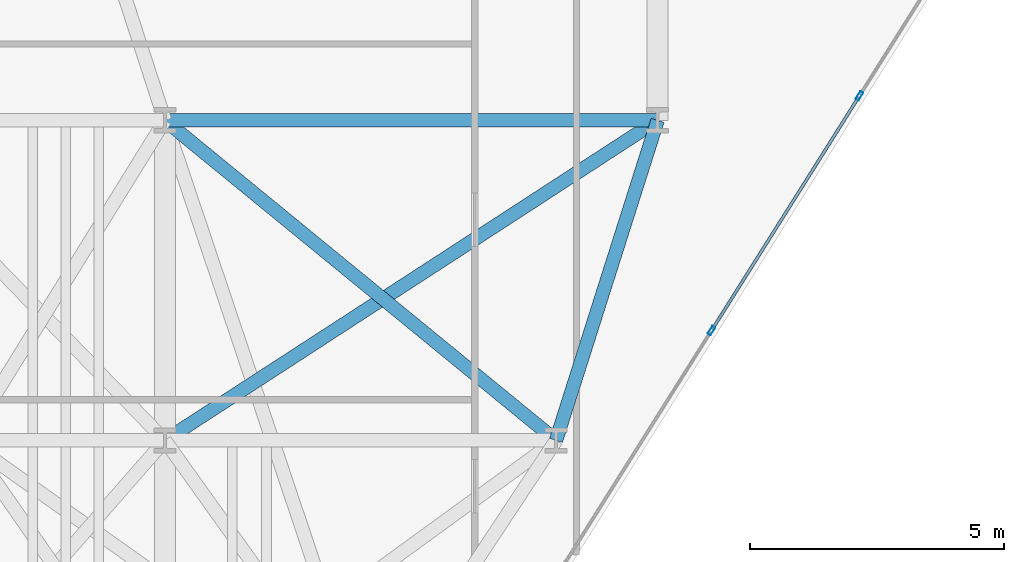
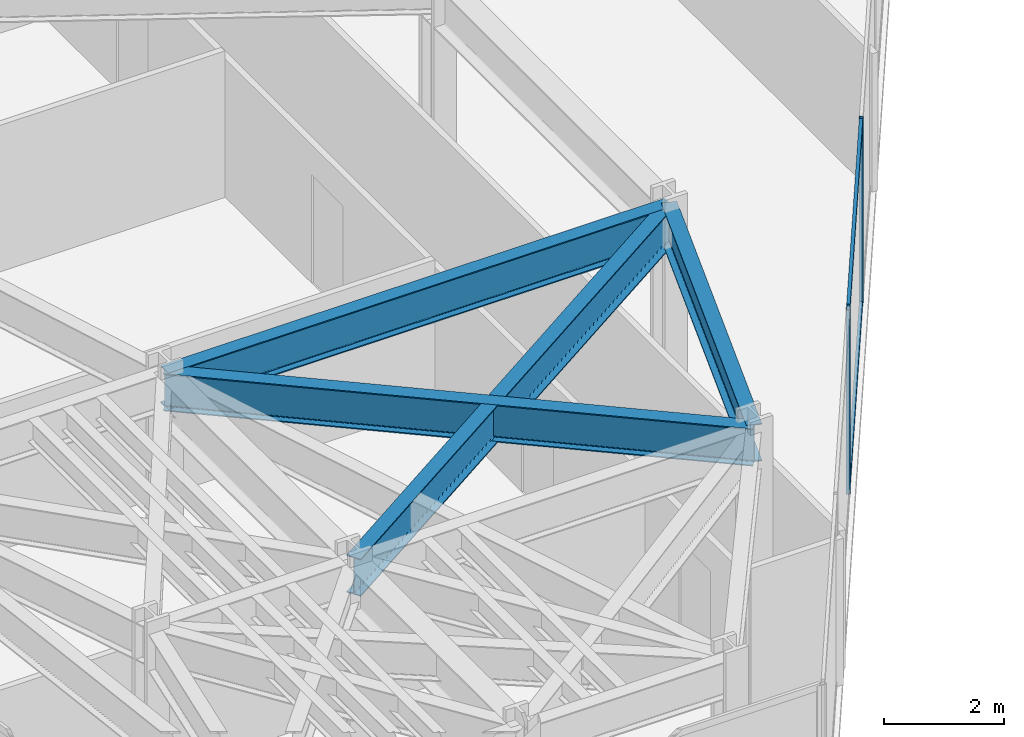
# One storey, part 6 of 25: 4 beams, 4 members, 1 element without a shape of its own.
"""IFC4 building model written with IfcOpenShell, lengths in metres."""

from ifc_helpers import new_model, si_unit, direction, frame, origin, origin_2d, place, context, subcontext, project, spatial, hollow_rectangle, i_section, extrude, material, layer, layer_set, material_profile, profile_set, type_object, element, aggregate, save


model = new_model("IFC4")

# Units and contexts
model_context = context("Model", 3, precision=1e-05, world=origin(), true_north=direction((0.0, 1.0)))
body_context = subcontext(model_context, "Body", "Model", "MODEL_VIEW")
ifc_project = project(units=[si_unit("LENGTHUNIT", "METRE"), si_unit("AREAUNIT", "SQUARE_METRE"), si_unit("VOLUMEUNIT", "CUBIC_METRE"), si_unit("PLANEANGLEUNIT", "RADIAN"), si_unit("MASSUNIT", "GRAM", prefix="KILO")], contexts=[model_context])

# Site, building, storey
site_placement = place(None, origin())
site = spatial("IfcSite", under=ifc_project, at=site_placement, CompositionType="ELEMENT")
building_placement = place(site_placement, origin())
building = spatial("IfcBuilding", under=site, at=building_placement, Name="Kravanh Interchange Tower", CompositionType="ELEMENT")
storey_placement = place(building_placement, frame((0.0, 0.0, 65.5)))
storey = spatial("IfcBuildingStorey", under=building, at=storey_placement, Name="L15", CompositionType="ELEMENT", Elevation=65.5)

# Curtain wall, members
ifc_material_1 = material(Name="Anodised Bronze Aluminium", Category="aluminium")
ifc_layer = layer(ifc_material_1, 0.179931640625)
ifc_layer_set = layer_set([ifc_layer], Name="Unitised Curtain Wall System CW-Z1 Lower Office")
curtain_wall_type = type_object("IfcCurtainWallType", Name="Unitised Curtain Wall System CW-Z1 Lower Office", PredefinedType="NOTDEFINED", material=ifc_layer_set)
curtain_wall_placement = place(storey_placement, origin())
curtain_wall = element("IfcCurtainWall", 1, at=curtain_wall_placement, inside=storey, type_object=curtain_wall_type, Name="L15 Unitised Curtain Wall CW-L15-05", PredefinedType="NOTDEFINED")
ifc_material_2 = material(Name="Anodised Bronze Aluminium", Category="aluminium")
ifc_material_profile_1 = material_profile(ifc_material_2, hollow_rectangle(XDim=0.070068359375, YDim=0.179931640625, WallThickness=0.00390625, at=origin_2d()), Name="ALU70X180X4")
ifc_profile_set_1 = profile_set([ifc_material_profile_1], Name="Anodised Bronze Aluminium")
member_type_1 = type_object("IfcMemberType", Name="Curtain Wall Mullion ALU70X180X4 Bronze", PredefinedType="MULLION", material=ifc_profile_set_1)
member_1_placement = place(storey_placement, frame((31.173583984375, 14.98291015625, 0.0), z_axis=(0.0, 0.0, 1.0), x_axis=(0.845925530786, -0.53330103728, 0.0)))
member_1 = element("IfcMember", 2, at=member_1_placement, type_object=member_type_1, Name="CW-Z1 mullion 3", PredefinedType="MULLION", context=body_context, shape_type="SweptSolid", body=[
    extrude(hollow_rectangle(XDim=0.070068359375, YDim=0.179931640625, WallThickness=0.00390625, at=origin_2d()), origin(), (0.0, 0.0, 1.0), 3.739990234375),
])
member_2_placement = place(storey_placement, frame((28.26025390625, 10.362060546875, 0.0), z_axis=(0.0, 0.0, 1.0), x_axis=(0.845925530786, -0.53330103728, 0.0)))
member_2 = element("IfcMember", 3, at=member_2_placement, type_object=member_type_1, Name="CW-Z1 mullion 4", PredefinedType="MULLION", context=body_context, shape_type="SweptSolid", body=[
    extrude(hollow_rectangle(XDim=0.070068359375, YDim=0.179931640625, WallThickness=0.00390625, at=origin_2d()), origin(), (0.0, 0.0, 1.0), 3.739990234375),
])
ifc_material_3 = material(Name="Anodised Bronze Aluminium", Category="aluminium")
ifc_material_profile_2 = material_profile(ifc_material_3, hollow_rectangle(XDim=0.06005859375, YDim=0.139892578125, WallThickness=0.00390625, at=origin_2d()), Name="ALU60X140X4")
ifc_profile_set_2 = profile_set([ifc_material_profile_2], Name="Anodised Bronze Aluminium")
member_type_2 = type_object("IfcMemberType", Name="Curtain Wall Transom ALU60X140X4 Bronze", PredefinedType="USERDEFINED", material=ifc_profile_set_2)
member_3_placement = place(storey_placement, frame((31.15478515625, 14.953369140625, 0.030029296875), z_axis=(-0.533279090152, -0.845939366626, 0.0), x_axis=(0.845939366626, -0.533279090152, 0.0)))
member_3 = element("IfcMember", 4, at=member_3_placement, type_object=member_type_2, Name="CW-Z1 transom 3.1", ObjectType="TRANSOM", PredefinedType="USERDEFINED", context=body_context, shape_type="SweptSolid", body=[
    extrude(hollow_rectangle(XDim=0.06005859375, YDim=0.139892578125, WallThickness=0.00390625, at=origin_2d()), origin(), (0.0, 0.0, 1.0), 5.392578125),
])
member_4_placement = place(storey_placement, frame((31.15478515625, 14.953369140625, 3.7099609375), z_axis=(-0.533279090152, -0.845939366626, 0.0), x_axis=(0.845939366626, -0.533279090152, 0.0)))
member_4 = element("IfcMember", 5, at=member_4_placement, type_object=member_type_2, Name="CW-Z1 transom 3.2", ObjectType="TRANSOM", PredefinedType="USERDEFINED", context=body_context, shape_type="SweptSolid", body=[
    extrude(hollow_rectangle(XDim=0.06005859375, YDim=0.139892578125, WallThickness=0.00390625, at=origin_2d()), origin(), (0.0, 0.0, 1.0), 5.392578125),
])
aggregate(curtain_wall, [member_1, member_2, member_3, member_4])

# Beams
ifc_material_4 = material(Name="Structural Steel S355", Category="steel")
ifc_material_profile_3 = material_profile(ifc_material_4, i_section(OverallWidth=0.26708984375, OverallDepth=0.761962890625, WebThickness=0.014404296875, FlangeThickness=0.021484375, FilletRadius=0.02490234375, at=origin_2d()), Name="W30X116")
ifc_profile_set_3 = profile_set([ifc_material_profile_3], Name="Structural Steel S355")
beam_type = type_object("IfcBeamType", Name="Floor Spandrel W30X116 Structural Steel S355", PredefinedType="SPANDREL", material=ifc_profile_set_3)
beam_1_placement = place(storey_placement, frame((17.5, 8.199951171875, 3.35888671875), z_axis=(0.838637911458, 0.544689318295, 0.0), x_axis=(-0.544689318295, 0.838637911458, 0.0)))
element("IfcBeam", 6, at=beam_1_placement, inside=storey, type_object=beam_type, Name="L15 Perimeter Spandrel 139", PredefinedType="SPANDREL", context=body_context, shape_type="SweptSolid", body=[
    extrude(i_section(OverallWidth=0.26708984375, OverallDepth=0.761962890625, WebThickness=0.014404296875, FlangeThickness=0.021484375, FilletRadius=0.02490234375, at=origin_2d()), origin(), (0.0, 0.0, 1.0), 11.56640625),
])
beam_2_placement = place(storey_placement, frame((25.199951171875, 8.199951171875, 3.35888671875), z_axis=(0.30257700201, 0.953124943465, 0.0), x_axis=(-0.953124943465, 0.30257700201, 0.0)))
element("IfcBeam", 7, at=beam_2_placement, inside=storey, type_object=beam_type, Name="L15 Perimeter Spandrel 140", PredefinedType="SPANDREL", context=body_context, shape_type="SweptSolid", body=[
    extrude(i_section(OverallWidth=0.26708984375, OverallDepth=0.761962890625, WebThickness=0.014404296875, FlangeThickness=0.021484375, FilletRadius=0.02490234375, at=origin_2d()), origin(), (0.0, 0.0, 1.0), 6.60986328125),
])
beam_3_placement = place(storey_placement, frame((25.199951171875, 8.199951171875, 3.35888671875), z_axis=(-0.773952925799, 0.633243135491, 0.0), x_axis=(-0.633243135491, -0.773952925799, 0.0)))
element("IfcBeam", 8, at=beam_3_placement, inside=storey, type_object=beam_type, Name="L15 Perimeter Spandrel 141", PredefinedType="SPANDREL", context=body_context, shape_type="SweptSolid", body=[
    extrude(i_section(OverallWidth=0.26708984375, OverallDepth=0.761962890625, WebThickness=0.014404296875, FlangeThickness=0.021484375, FilletRadius=0.02490234375, at=origin_2d()), origin(), (0.0, 0.0, 1.0), 9.948974609375),
])
beam_4_placement = place(storey_placement, frame((17.5, 14.5, 3.35888671875), z_axis=(1.0, 0.0, 0.0), x_axis=(0.0, 1.0, 0.0)))
element("IfcBeam", 9, at=beam_4_placement, inside=storey, type_object=beam_type, Name="L15 Perimeter Spandrel 144", PredefinedType="SPANDREL", context=body_context, shape_type="SweptSolid", body=[
    extrude(i_section(OverallWidth=0.26708984375, OverallDepth=0.761962890625, WebThickness=0.014404296875, FlangeThickness=0.021484375, FilletRadius=0.02490234375, at=origin_2d()), origin(), (0.0, 0.0, 1.0), 9.699951171875),
])

save(model, "model.ifc")
